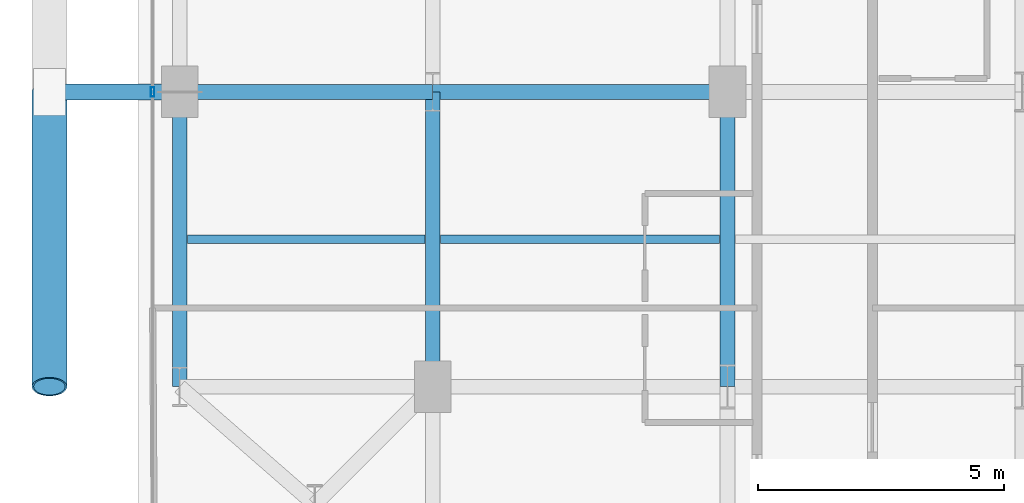
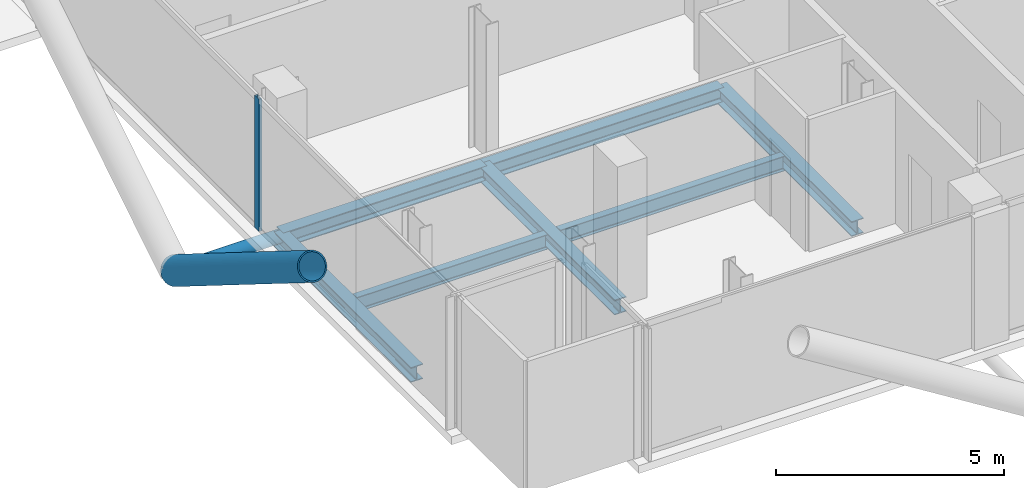
# One storey, part 3 of 25: 7 beams, 3 members, 1 element without a shape of its own.
"""IFC4 building model written with IfcOpenShell, lengths in metres."""

from ifc_helpers import new_model, si_unit, direction, frame, origin, origin_2d, place, context, subcontext, project, spatial, hollow_rectangle, hollow_circle, i_section, extrude, material, layer, layer_set, material_profile, profile_set, type_object, element, aggregate, save


model = new_model("IFC4")

# Units and contexts
model_context = context("Model", 3, precision=1e-05, world=origin(), true_north=direction((0.0, 1.0)))
body_context = subcontext(model_context, "Body", "Model", "MODEL_VIEW")
ifc_project = project(units=[si_unit("LENGTHUNIT", "METRE"), si_unit("AREAUNIT", "SQUARE_METRE"), si_unit("VOLUMEUNIT", "CUBIC_METRE"), si_unit("PLANEANGLEUNIT", "RADIAN"), si_unit("MASSUNIT", "GRAM", prefix="KILO"), si_unit("THERMODYNAMICTEMPERATUREUNIT", "KELVIN"), si_unit("POWERUNIT", "WATT")], contexts=[model_context])

# Site, building, storey
site_placement = place(None, origin())
site = spatial("IfcSite", under=ifc_project, at=site_placement, CompositionType="ELEMENT")
building_placement = place(site_placement, origin())
building = spatial("IfcBuilding", under=site, at=building_placement, Name="Svarakhadi Broadcast Tower", CompositionType="ELEMENT")
storey_placement = place(building_placement, frame((0.0, 0.0, 216.14990234375)))
storey = spatial("IfcBuildingStorey", under=building, at=storey_placement, Name="L53", CompositionType="ELEMENT", Elevation=216.14990234375)

# Beams
ifc_material_1 = material(Name="Steel S355J2 (IS 2062 E350C)", Category="steel")
ifc_material_profile_1 = material_profile(ifc_material_1, i_section(OverallWidth=0.179931640625, OverallDepth=0.39990234375, WebThickness=0.008544921875, FlangeThickness=0.013427734375, FilletRadius=0.02099609375, at=origin_2d()), Name="NPB 400x180x66")
ifc_profile_set_1 = profile_set([ifc_material_profile_1], Name="Steel S355J2 (IS 2062 E350C)")
beam_type_1 = type_object("IfcBeamType", Name="Beam_NPB400", PredefinedType="BEAM", material=ifc_profile_set_1)
beam_1_placement = place(storey_placement, frame((1.010009765625, 9.0, -0.409912109375), z_axis=(1.0, 0.0, 0.0), x_axis=(0.0, 1.0, 0.0)))
element("IfcBeam", 1, at=beam_1_placement, inside=storey, type_object=beam_type_1, Name="L53 Secondary Composite Beam SB001", PredefinedType="BEAM", context=body_context, shape_type="SweptSolid", body=[
    extrude(i_section(OverallWidth=0.179931640625, OverallDepth=0.39990234375, WebThickness=0.008544921875, FlangeThickness=0.013427734375, FilletRadius=0.02099609375, at=origin_2d()), origin(), (0.0, 0.0, 1.0), 4.830078125),
])
beam_2_placement = place(storey_placement, frame((6.159912109375, 9.0, -0.409912109375), z_axis=(1.0, 0.0, 0.0), x_axis=(0.0, 1.0, 0.0)))
element("IfcBeam", 2, at=beam_2_placement, inside=storey, type_object=beam_type_1, Name="L53 Secondary Composite Beam SB006", PredefinedType="BEAM", context=body_context, shape_type="SweptSolid", body=[
    extrude(i_section(OverallWidth=0.179931640625, OverallDepth=0.39990234375, WebThickness=0.008544921875, FlangeThickness=0.013427734375, FilletRadius=0.02099609375, at=origin_2d()), origin(), (0.0, 0.0, 1.0), 5.68017578125),
])

# Curtain wall, member
ifc_material_2 = material(Name="Anodised Bronze Aluminium AA 6063-T6", Category="aluminium")
ifc_layer = layer(ifc_material_2, 0.18994140625)
ifc_layer_set = layer_set([ifc_layer], Name="Anodised Bronze Aluminium AA 6063-T6")
curtain_wall_type = type_object("IfcCurtainWallType", Name="CW_Sys_04", PredefinedType="NOTDEFINED", material=ifc_layer_set)
curtain_wall_placement = place(storey_placement, origin())
curtain_wall = element("IfcCurtainWall", 3, at=curtain_wall_placement, inside=storey, type_object=curtain_wall_type, Name="L53 West Curtain Wall 02", PredefinedType="NOTDEFINED")
ifc_material_profile_2 = material_profile(ifc_material_2, hollow_rectangle(XDim=0.070068359375, YDim=0.18994140625, WallThickness=0.005615234375, at=origin_2d()), Name="ALU MULLION 190x70x6")
ifc_profile_set_2 = profile_set([ifc_material_profile_2], Name="Anodised Bronze Aluminium AA 6063-T6")
member_type_1 = type_object("IfcMemberType", Name="CW_Sys_04_Mul", PredefinedType="MULLION", material=ifc_profile_set_2)
member_1_placement = place(storey_placement, frame((0.300048828125, 12.0, 0.0), z_axis=(0.0, 0.0, 1.0), x_axis=(-1.0, 0.0, 0.0)))
member_1 = element("IfcMember", 4, at=member_1_placement, type_object=member_type_1, Name="CW-04 mullion 2", PredefinedType="MULLION", context=body_context, shape_type="SweptSolid", body=[
    extrude(hollow_rectangle(XDim=0.070068359375, YDim=0.18994140625, WallThickness=0.005615234375, at=origin_2d()), origin(), (0.0, 0.0, 1.0), 3.5400390625),
])
aggregate(curtain_wall, [member_1])

# Members
ifc_material_3 = material(Name="Steel S460ML (IS 2062 E450BR)", Category="steel")
ifc_material_profile_3 = material_profile(ifc_material_3, hollow_circle(Radius=0.35546875, WallThickness=0.034912109375, at=origin_2d()), Name="CHS 711x35")
ifc_profile_set_3 = profile_set([ifc_material_profile_3], Name="Steel S460ML (IS 2062 E450BR)")
member_type_2 = type_object("IfcMemberType", Name="Exo_Brace_CHS711", PredefinedType="BRACE", material=ifc_profile_set_3)
member_2_placement = place(storey_placement, frame((-1.800048828125, 12.0, -0.371826171875), z_axis=(0.0, -0.847998304005, 0.529998940003), x_axis=(1.0, 0.0, 0.0)))
element("IfcMember", 5, at=member_2_placement, inside=storey, type_object=member_type_2, Name="L53 Exposed Bronze Exoskeleton Diagonal W04", PredefinedType="BRACE", context=body_context, shape_type="SweptSolid", body=[
    extrude(hollow_circle(Radius=0.35546875, WallThickness=0.034912109375, at=origin_2d()), origin(), (0.0, 0.0, 1.0), 7.075439453125),
])
ifc_material_profile_4 = material_profile(ifc_material_3, hollow_circle(Radius=0.161865234375, WallThickness=0.01611328125, at=origin_2d()), Name="CHS 323.9x16")
ifc_profile_set_4 = profile_set([ifc_material_profile_4], Name="Steel S460ML (IS 2062 E450BR)")
member_type_3 = type_object("IfcMemberType", Name="Exo_Radial_Strut_Z2", PredefinedType="STRUT", material=ifc_profile_set_4)
member_3_placement = place(storey_placement, frame((-1.800048828125, 12.0, -0.371826171875), z_axis=(1.0, 0.0, 0.0), x_axis=(0.0, 1.0, 0.0)))
element("IfcMember", 6, at=member_3_placement, inside=storey, type_object=member_type_3, Name="L53 Exoskeleton Radial Tie Strut W03", PredefinedType="STRUT", context=body_context, shape_type="SweptSolid", body=[
    extrude(hollow_circle(Radius=0.161865234375, WallThickness=0.01611328125, at=origin_2d()), origin(), (0.0, 0.0, 1.0), 2.650146484375),
])

# Beams
ifc_material_profile_5 = material_profile(ifc_material_1, i_section(OverallWidth=0.300048828125, OverallDepth=0.39990234375, WebThickness=0.013427734375, FlangeThickness=0.02392578125, FilletRadius=0.027099609375, at=origin_2d()), Name="WPB 400x300x155")
ifc_profile_set_5 = profile_set([ifc_material_profile_5], Name="Steel S355J2 (IS 2062 E350C)")
beam_type_2 = type_object("IfcBeamType", Name="Girder_WPB400", PredefinedType="USERDEFINED", material=ifc_profile_set_5)
beam_3_placement = place(storey_placement, frame((0.85009765625, 12.0, -0.409912109375), z_axis=(1.0, 0.0, 0.0), x_axis=(0.0, 1.0, 0.0)))
element("IfcBeam", 7, at=beam_3_placement, inside=storey, type_object=beam_type_2, Name="L53 Primary E-W Girder G015", ObjectType="GIRDER", PredefinedType="USERDEFINED", context=body_context, shape_type="SweptSolid", body=[
    extrude(i_section(OverallWidth=0.300048828125, OverallDepth=0.39990234375, WebThickness=0.013427734375, FlangeThickness=0.02392578125, FilletRadius=0.027099609375, at=origin_2d()), origin(), (0.0, 0.0, 1.0), 5.14990234375),
])
for number, where, z_axis, x_axis, name in (
    (8, (6.0, 12.0, -0.409912109375), (1.0, 0.0, 0.0), (0.0, 1.0, 0.0), "L53 Primary E-W Girder G016"),
    (9, (0.85009765625, 6.0, -0.409912109375), (0.0, 1.0, 0.0), (-1.0, 0.0, 0.0), "L53 Primary N-S Girder G033"),
    (10, (6.0, 6.0, -0.409912109375), (0.0, 1.0, 0.0), (-1.0, 0.0, 0.0), "L53 Primary N-S Girder G038"),
    (11, (12.0, 6.0, -0.409912109375), (0.0, 1.0, 0.0), (-1.0, 0.0, 0.0), "L53 Primary N-S Girder G043"),
):
    element("IfcBeam", number, at=place(storey_placement, frame(where, z_axis=z_axis, x_axis=x_axis)), inside=storey, type_object=beam_type_2, Name=name, ObjectType="GIRDER", PredefinedType="USERDEFINED", context=body_context, shape_type="SweptSolid", body=[
        extrude(i_section(OverallWidth=0.300048828125, OverallDepth=0.39990234375, WebThickness=0.013427734375, FlangeThickness=0.02392578125, FilletRadius=0.027099609375, at=origin_2d()), origin(), (0.0, 0.0, 1.0), 6.0),
    ])

save(model, "model.ifc")
